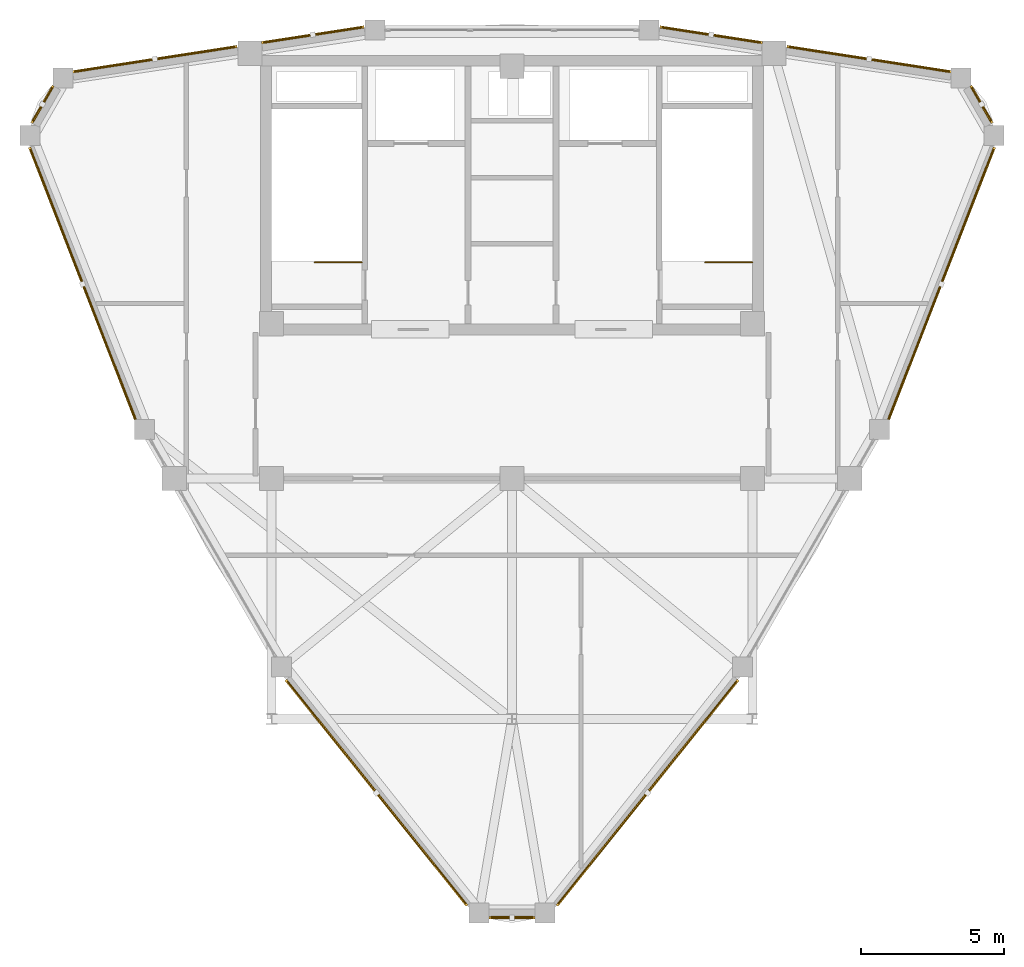
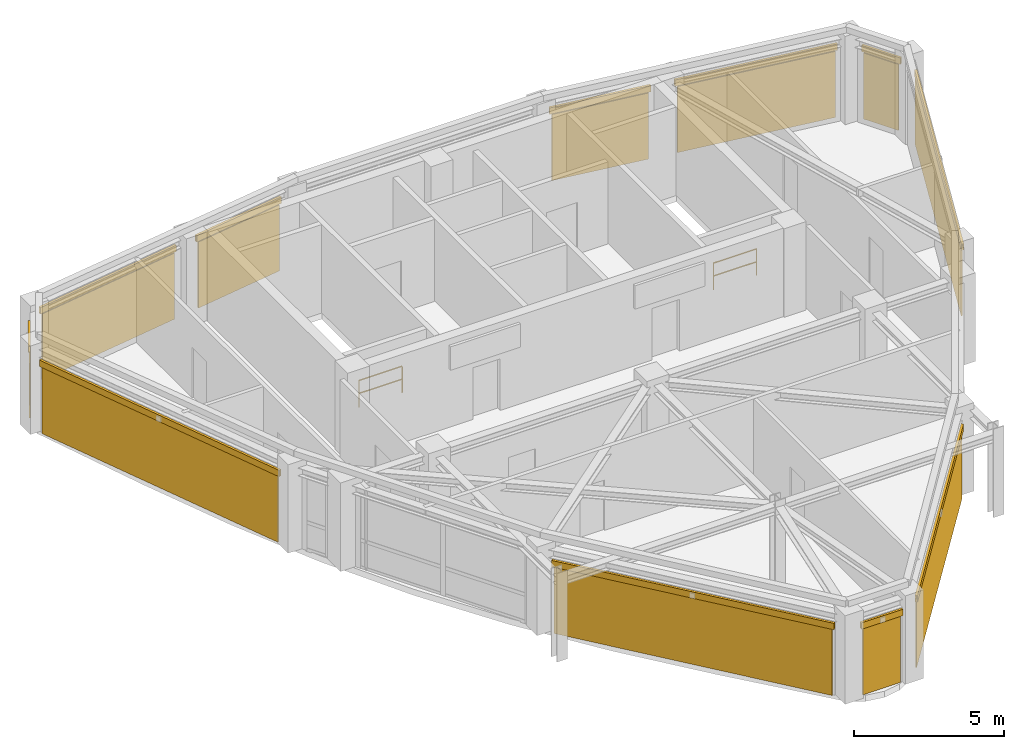
# One storey, part 13 of 13: 11 coverings, 11 shading devices, 2 railings.
"""IFC4 building model written with IfcOpenShell, lengths in metres."""

from ifc_helpers import new_model, si_unit, derived_unit, direction, frame, origin, origin_2d, place, context, subcontext, project, spatial, polyline, hollow_rectangle, circle, outline, extrude, source, transform, mapped, material, layer, layer_set, material_profile, profile_set, type_object, element, save


model = new_model("IFC4")

# Units and contexts
model_context = context("Model", 3, precision=1e-05, world=origin(), true_north=direction((0.0, 1.0)))
body_context = subcontext(model_context, "Body", "Model", "MODEL_VIEW")
ifc_project = project(units=[si_unit("LENGTHUNIT", "METRE"), si_unit("AREAUNIT", "SQUARE_METRE"), si_unit("VOLUMEUNIT", "CUBIC_METRE"), si_unit("PLANEANGLEUNIT", "RADIAN"), si_unit("MASSUNIT", "GRAM", prefix="KILO"), derived_unit("THERMALTRANSMITTANCEUNIT", [(si_unit("POWERUNIT", "WATT"), 1), (si_unit("LENGTHUNIT", "METRE"), -2), (si_unit("THERMODYNAMICTEMPERATUREUNIT", "KELVIN"), -1)])], contexts=[model_context])

# Site, building, storey
site_placement = place(None, origin())
site = spatial("IfcSite", under=ifc_project, at=site_placement, CompositionType="ELEMENT")
building_placement = place(site_placement, origin())
building = spatial("IfcBuilding", under=site, at=building_placement, Name="Korsvarv Bourse and Concert Hall", CompositionType="ELEMENT")
storey_placement = place(building_placement, frame((0.0, 0.0, 296.10009765625)))
storey = spatial("IfcBuildingStorey", under=building, at=storey_placement, Name="L77", CompositionType="ELEMENT", Elevation=296.10009765625)

# Coverings
ifc_material_1 = material(Name="Warm iron-oxide extruded terracotta rainscreen tile", Category="ceramic")
ifc_layer = layer(ifc_material_1, 0.044921875)
ifc_layer_set = layer_set([ifc_layer], Name="Warm iron-oxide extruded terracotta rainscreen tile")
covering_type = type_object("IfcCoveringType", Name="COV-CLD-TC", PredefinedType="CLADDING", material=ifc_layer_set)
covering_1_placement = place(storey_placement, origin())
element("IfcCovering", 1, at=covering_1_placement, inside=storey, type_object=covering_type, Name="L77 fluted terracotta cladding panel EW-L77-CRN01", PredefinedType="CLADDING", context=body_context, shape_type="SweptSolid", body=[
    extrude(outline(polyline([(52.69873046875, 44.869140625), (52.030517578125, 46.027099609375), (52.0693359375, 46.049560546875), (52.73779296875, 44.8916015625), (52.69873046875, 44.869140625)])), origin(), (0.0, 0.0, 1.0), 2.68994140625),
])
covering_2_placement = place(storey_placement, origin())
element("IfcCovering", 2, at=covering_2_placement, inside=storey, type_object=covering_type, Name="L77 fluted terracotta cladding panel EW-L77-CRN02-1", PredefinedType="CLADDING", context=body_context, shape_type="SweptSolid", body=[
    extrude(outline(polyline([(51.26220703125, 46.5791015625), (45.677978515625, 47.43896484375), (45.684814453125, 47.4833984375), (51.268798828125, 46.623779296875), (51.26220703125, 46.5791015625)])), origin(), (0.0, 0.0, 1.0), 2.68994140625),
])
covering_3_placement = place(storey_placement, origin())
element("IfcCovering", 3, at=covering_3_placement, inside=storey, type_object=covering_type, Name="L77 fluted terracotta cladding panel EW-L77-CRN02-2", PredefinedType="CLADDING", context=body_context, shape_type="SweptSolid", body=[
    extrude(outline(polyline([(44.659912109375, 47.595703125), (41.242919921875, 48.12158203125), (41.249755859375, 48.166015625), (44.666748046875, 47.64013671875), (44.659912109375, 47.595703125)])), origin(), (0.0, 0.0, 1.0), 2.68994140625),
])
covering_4_placement = place(storey_placement, origin())
element("IfcCovering", 4, at=covering_4_placement, inside=storey, type_object=covering_type, Name="L77 fluted terracotta cladding panel EW-L77-CRN04-1", PredefinedType="CLADDING", context=body_context, shape_type="SweptSolid", body=[
    extrude(outline(polyline([(30.757080078125, 48.12158203125), (27.340087890625, 47.595703125), (27.333251953125, 47.64013671875), (30.750244140625, 48.166015625), (30.757080078125, 48.12158203125)])), origin(), (0.0, 0.0, 1.0), 2.68994140625),
])
covering_5_placement = place(storey_placement, origin())
element("IfcCovering", 5, at=covering_5_placement, inside=storey, type_object=covering_type, Name="L77 fluted terracotta cladding panel EW-L77-CRN04-2", PredefinedType="CLADDING", context=body_context, shape_type="SweptSolid", body=[
    extrude(outline(polyline([(26.322021484375, 47.43896484375), (20.73779296875, 46.5791015625), (20.731201171875, 46.623779296875), (26.315185546875, 47.4833984375), (26.322021484375, 47.43896484375)])), origin(), (0.0, 0.0, 1.0), 2.68994140625),
])
covering_6_placement = place(storey_placement, origin())
element("IfcCovering", 6, at=covering_6_placement, inside=storey, type_object=covering_type, Name="L77 fluted terracotta cladding panel EW-L77-CRN05", PredefinedType="CLADDING", context=body_context, shape_type="SweptSolid", body=[
    extrude(outline(polyline([(19.969482421875, 46.027099609375), (19.30126953125, 44.869140625), (19.26220703125, 44.8916015625), (19.9306640625, 46.049560546875), (19.969482421875, 46.027099609375)])), origin(), (0.0, 0.0, 1.0), 2.68994140625),
])
covering_7_placement = place(storey_placement, origin())
element("IfcCovering", 7, at=covering_7_placement, inside=storey, type_object=covering_type, Name="L77 fluted terracotta cladding panel EW-L77-CRN06", PredefinedType="CLADDING", context=body_context, shape_type="SweptSolid", body=[
    extrude(outline(polyline([(19.215087890625, 43.907470703125), (22.873046875, 34.5), (22.8310546875, 34.483642578125), (19.173095703125, 43.89111328125), (19.215087890625, 43.907470703125)])), origin(), (0.0, 0.0, 1.0), 2.68994140625),
])
covering_8_placement = place(storey_placement, origin())
element("IfcCovering", 8, at=covering_8_placement, inside=storey, type_object=covering_type, Name="L77 fluted terracotta cladding panel EW-L77-CRN08", PredefinedType="CLADDING", context=body_context, shape_type="SweptSolid", body=[
    extrude(outline(polyline([(28.183837890625, 25.32373046875), (34.4091796875, 17.56787109375), (34.3740234375, 17.539794921875), (28.148681640625, 25.295654296875), (28.183837890625, 25.32373046875)])), origin(), (0.0, 0.0, 1.0), 2.68994140625),
])
covering_9_placement = place(storey_placement, origin())
element("IfcCovering", 9, at=covering_9_placement, inside=storey, type_object=covering_type, Name="L77 fluted terracotta cladding panel EW-L77-CRN09", PredefinedType="CLADDING", context=body_context, shape_type="SweptSolid", body=[
    extrude(outline(polyline([(35.276611328125, 17.103759765625), (36.723388671875, 17.103759765625), (36.723388671875, 17.058837890625), (35.276611328125, 17.058837890625), (35.276611328125, 17.103759765625)])), origin(), (0.0, 0.0, 1.0), 2.68994140625),
])
covering_10_placement = place(storey_placement, origin())
element("IfcCovering", 10, at=covering_10_placement, inside=storey, type_object=covering_type, Name="L77 fluted terracotta cladding panel EW-L77-CRN10", PredefinedType="CLADDING", context=body_context, shape_type="SweptSolid", body=[
    extrude(outline(polyline([(37.5908203125, 17.56787109375), (43.816162109375, 25.32373046875), (43.851318359375, 25.295654296875), (37.6259765625, 17.539794921875), (37.5908203125, 17.56787109375)])), origin(), (0.0, 0.0, 1.0), 2.68994140625),
])
covering_11_placement = place(storey_placement, origin())
element("IfcCovering", 11, at=covering_11_placement, inside=storey, type_object=covering_type, Name="L77 fluted terracotta cladding panel EW-L77-CRN12", PredefinedType="CLADDING", context=body_context, shape_type="SweptSolid", body=[
    extrude(outline(polyline([(49.126953125, 34.5), (52.784912109375, 43.907470703125), (52.826904296875, 43.89111328125), (49.1689453125, 34.483642578125), (49.126953125, 34.5)])), origin(), (0.0, 0.0, 1.0), 2.68994140625),
])

# Railings
ifc_material_2 = material(Name="Painted Steel S355 stair well guardrail", Category="steel")
railing_type = type_object("IfcRailingType", Name="RL-ST-GRD", PredefinedType="GUARDRAIL", material=ifc_material_2)
for number, where, name in (
    (12, (30.760009765625, 39.949951171875, 0.0), "L77 ST-T1 top well guard 1"),
    (13, (44.39990234375, 39.949951171875, 0.0), "L77 ST-T2 top well guard 1"),
):
    element("IfcRailing", number, at=place(storey_placement, frame(where)), inside=storey, type_object=railing_type, Name=name, PredefinedType="GUARDRAIL", context=body_context, shape_type="SweptSolid", body=[
        extrude(circle(Radius=0.02392578125, at=origin_2d()), frame((0.0, 0.0, 1.076171875), z_axis=(-1.0, 0.0, 0.0), x_axis=(0.0, -1.0, 0.0)), (0.0, 0.0, 1.0), 1.659912109375),
        extrude(circle(Radius=0.02392578125, at=origin_2d()), frame((0.0, 0.0, 0.550048828125), z_axis=(-1.0, 0.0, 0.0), x_axis=(0.0, -1.0, 0.0)), (0.0, 0.0, 1.0), 1.659912109375),
        extrude(circle(Radius=0.02099609375, at=origin_2d()), origin(), (0.0, 0.0, 1.0), 1.052001953125),
        extrude(circle(Radius=0.02099609375, at=origin_2d()), frame((-1.659912109375, 0.0, 0.0)), (0.0, 0.0, 1.0), 1.052001953125),
    ])

# Shading devices
ifc_material_3 = material(Name="Glazed extruded architectural terracotta", Category="ceramic")
ifc_material_profile = material_profile(ifc_material_3, hollow_rectangle(XDim=0.090087890625, YDim=0.260009765625, WallThickness=0.011962890625, at=origin_2d()), Name="TC-BAG 90x260")
ifc_profile_set = profile_set([ifc_material_profile], Name="Glazed extruded architectural terracotta")
shading_device_type = type_object("IfcShadingDeviceType", Name="SHD-BAG-1", PredefinedType="USERDEFINED", material=ifc_profile_set)
shared_shape_1 = source(origin(), body_context, "Body", "SweptSolid", [
    extrude(hollow_rectangle(XDim=0.090087890625, YDim=0.260009765625, WallThickness=0.011962890625, at=origin_2d()), origin(), (0.0, 0.0, 1.0), 1.4970703125),
])
for number, where, z_axis, x_axis, name in (
    (14, (52.7734375, 44.81982421875, 2.849853515625), (-0.500033033937, 0.866006330792, 0.0), (-0.866006330792, -0.500033033937, 0.0), "L77 terracotta baguette sunshade EW-L77-CRN01"),
    (15, (19.97509765625, 46.1162109375, 2.849853515625), (-0.500033033937, -0.866006330792, 0.0), (0.866006330792, -0.500033033937, 0.0), "L77 terracotta baguette sunshade EW-L77-CRN05"),
):
    element("IfcShadingDevice", number, at=place(storey_placement, frame(where, z_axis=z_axis, x_axis=x_axis)), inside=storey, type_object=shading_device_type, Name=name, ObjectType="BAGUETTE", PredefinedType="USERDEFINED", context=body_context, shape_type="MappedRepresentation", body=[
        mapped(shared_shape_1, transform((0.0, 0.0, 0.0), scale=1.0)),
    ])
shared_shape_2 = source(origin(), body_context, "Body", "SweptSolid", [
    extrude(hollow_rectangle(XDim=0.090087890625, YDim=0.260009765625, WallThickness=0.011962890625, at=origin_2d()), origin(), (0.0, 0.0, 1.0), 5.809814453125),
])
for number, where, z_axis, x_axis, name in (
    (16, (51.34716796875, 46.606689453125, 2.849853515625), (-0.988361979519, 0.152120338684, 0.0), (-0.152120338684, -0.988361979519, 0.0), "L77 terracotta baguette sunshade EW-L77-CRN02-1"),
    (17, (26.39501953125, 47.490478515625, 2.849853515625), (-0.988361979519, -0.152120338684, 0.0), (0.152120338684, -0.988361979519, 0.0), "L77 terracotta baguette sunshade EW-L77-CRN04-2"),
):
    element("IfcShadingDevice", number, at=place(storey_placement, frame(where, z_axis=z_axis, x_axis=x_axis)), inside=storey, type_object=shading_device_type, Name=name, ObjectType="BAGUETTE", PredefinedType="USERDEFINED", context=body_context, shape_type="MappedRepresentation", body=[
        mapped(shared_shape_2, transform((0.0, 0.0, 0.0), scale=1.0)),
    ])
shared_shape_3 = source(origin(), body_context, "Body", "SweptSolid", [
    extrude(hollow_rectangle(XDim=0.090087890625, YDim=0.260009765625, WallThickness=0.011962890625, at=origin_2d()), origin(), (0.0, 0.0, 1.0), 3.6171875),
])
for number, where, z_axis, x_axis, name in (
    (18, (44.7451171875, 47.623046875, 2.849853515625), (-0.988360771452, 0.152128187575, 0.0), (-0.152128187575, -0.988360771452, 0.0), "L77 terracotta baguette sunshade EW-L77-CRN02-2"),
    (19, (30.830078125, 48.17333984375, 2.849853515625), (-0.988360771452, -0.152128187575, 0.0), (0.152128187575, -0.988360771452, 0.0), "L77 terracotta baguette sunshade EW-L77-CRN04-1"),
):
    element("IfcShadingDevice", number, at=place(storey_placement, frame(where, z_axis=z_axis, x_axis=x_axis)), inside=storey, type_object=shading_device_type, Name=name, ObjectType="BAGUETTE", PredefinedType="USERDEFINED", context=body_context, shape_type="MappedRepresentation", body=[
        mapped(shared_shape_3, transform((0.0, 0.0, 0.0), scale=1.0)),
    ])
shared_shape_4 = source(origin(), body_context, "Body", "SweptSolid", [
    extrude(hollow_rectangle(XDim=0.090087890625, YDim=0.260009765625, WallThickness=0.011962890625, at=origin_2d()), origin(), (0.0, 0.0, 1.0), 10.253662109375),
])
for number, where, z_axis, x_axis, name in (
    (20, (19.148681640625, 43.967529296875, 2.849853515625), (0.362411790687, -0.93201807599, 0.0), (0.93201807599, 0.362411790687, 0.0), "L77 terracotta baguette sunshade EW-L77-CRN06"),
    (21, (49.13525390625, 34.410888671875, 2.849853515625), (0.362411790687, 0.93201807599, 0.0), (-0.93201807599, 0.362411790687, 0.0), "L77 terracotta baguette sunshade EW-L77-CRN12"),
):
    element("IfcShadingDevice", number, at=place(storey_placement, frame(where, z_axis=z_axis, x_axis=x_axis)), inside=storey, type_object=shading_device_type, Name=name, ObjectType="BAGUETTE", PredefinedType="USERDEFINED", context=body_context, shape_type="MappedRepresentation", body=[
        mapped(shared_shape_4, transform((0.0, 0.0, 0.0), scale=1.0)),
    ])
shared_shape_5 = source(origin(), body_context, "Body", "SweptSolid", [
    extrude(hollow_rectangle(XDim=0.090087890625, YDim=0.260009765625, WallThickness=0.011962890625, at=origin_2d()), origin(), (0.0, 0.0, 1.0), 10.105224609375),
])
for number, where, z_axis, x_axis, name in (
    (22, (28.1025390625, 25.361083984375, 2.849853515625), (0.62595820312, -0.779856607299, 0.0), (0.779856607299, 0.62595820312, 0.0), "L77 terracotta baguette sunshade EW-L77-CRN08"),
    (23, (37.572021484375, 17.48046875, 2.849853515625), (0.62595820312, 0.779856607299, 0.0), (-0.779856607299, 0.62595820312, 0.0), "L77 terracotta baguette sunshade EW-L77-CRN10"),
):
    element("IfcShadingDevice", number, at=place(storey_placement, frame(where, z_axis=z_axis, x_axis=x_axis)), inside=storey, type_object=shading_device_type, Name=name, ObjectType="BAGUETTE", PredefinedType="USERDEFINED", context=body_context, shape_type="MappedRepresentation", body=[
        mapped(shared_shape_5, transform((0.0, 0.0, 0.0), scale=1.0)),
    ])
shared_shape_6 = source(origin(), body_context, "Body", "SweptSolid", [
    extrude(hollow_rectangle(XDim=0.090087890625, YDim=0.260009765625, WallThickness=0.011962890625, at=origin_2d()), origin(), (0.0, 0.0, 1.0), 1.60693359375),
])
shading_device_placement = place(storey_placement, frame((35.196533203125, 17.063720703125, 2.849853515625), z_axis=(1.0, 0.0, 0.0), x_axis=(0.0, 1.0, 0.0)))
element("IfcShadingDevice", 24, at=shading_device_placement, inside=storey, type_object=shading_device_type, Name="L77 terracotta baguette sunshade EW-L77-CRN09", ObjectType="BAGUETTE", PredefinedType="USERDEFINED", context=body_context, shape_type="MappedRepresentation", body=[
    mapped(shared_shape_6, transform((0.0, 0.0, 0.0), scale=1.0)),
])

save(model, "model.ifc")
